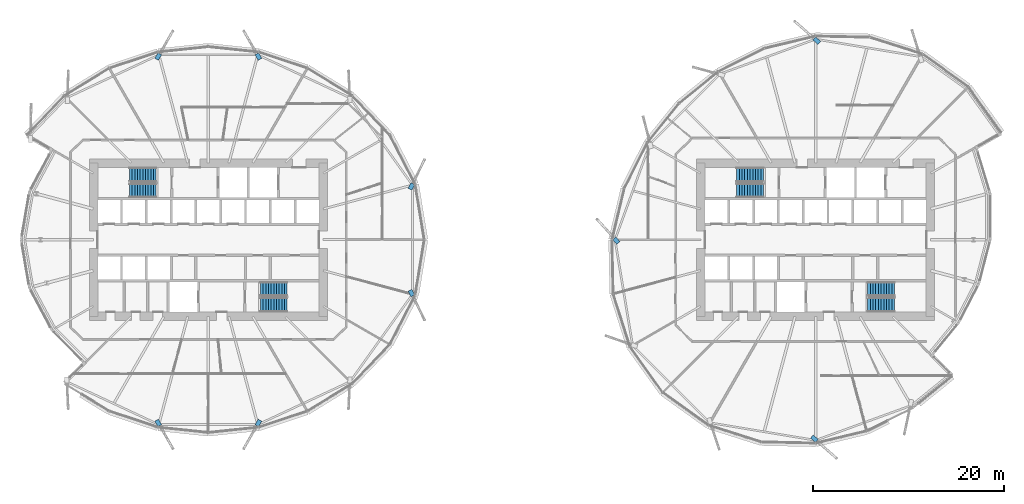
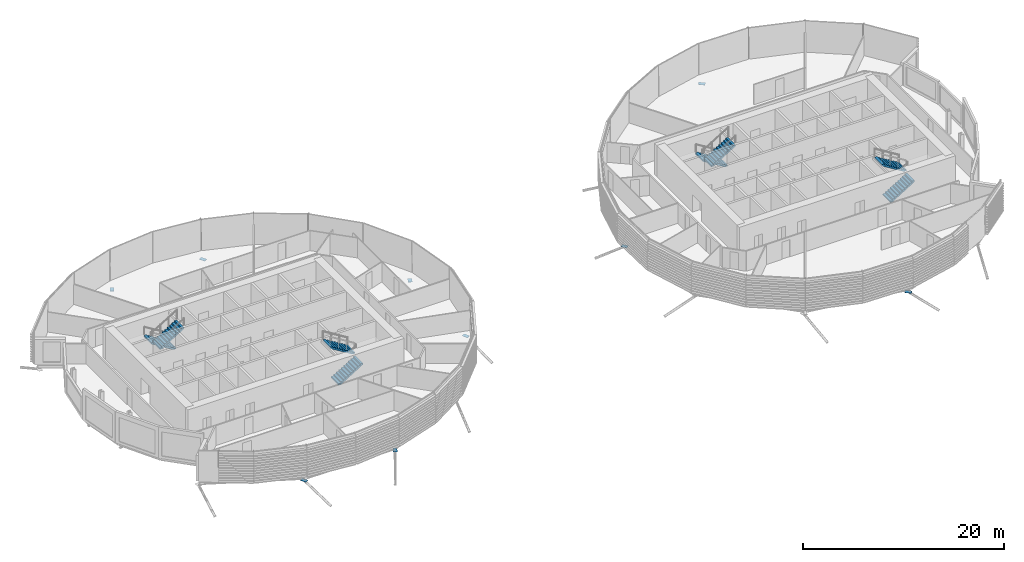
# One storey, part 26 of 38: 9 discrete accessories, 8 stair flights, 4 elements without a shape of their own.
"""IFC4 building model written with IfcOpenShell, lengths in metres."""

from ifc_helpers import new_model, si_unit, direction, frame, origin, origin_2d, place, context, subcontext, project, spatial, polyline, rectangle, outline, extrude, material, material_profile, profile_set, type_object, element, aggregate, save


model = new_model("IFC4")

# Units and contexts
model_context = context("Model", 3, precision=1e-05, world=origin(), true_north=direction((0.0, 1.0)))
body_context = subcontext(model_context, "Body", "Model", "MODEL_VIEW")
ifc_project = project(units=[si_unit("LENGTHUNIT", "METRE"), si_unit("AREAUNIT", "SQUARE_METRE"), si_unit("VOLUMEUNIT", "CUBIC_METRE"), si_unit("PLANEANGLEUNIT", "RADIAN"), si_unit("MASSUNIT", "GRAM", prefix="KILO")], contexts=[model_context])

# Site, building, storey
site_placement = place(None, origin())
site = spatial("IfcSite", under=ifc_project, at=site_placement, CompositionType="ELEMENT")
building_placement = place(site_placement, origin())
building = spatial("IfcBuilding", under=site, at=building_placement, Name="Rimbun Link Towers", CompositionType="ELEMENT")
storey_placement = place(building_placement, frame((0.0, 0.0, 49.0)))
storey = spatial("IfcBuildingStorey", under=building, at=storey_placement, Name="L11", CompositionType="ELEMENT", Elevation=49.0)

# Stair, stair flights
ifc_material_1 = material(Name="Concrete C40/50", Category="concrete")
stair_type = type_object("IfcStairType", Name="Exit stair 3800 rise", PredefinedType="HALF_TURN_STAIR", material=ifc_material_1)
stair_1_placement = place(storey_placement, origin())
stair_1 = element("IfcStair", 1, at=stair_1_placement, inside=storey, type_object=stair_type, Name="L11 EXIT STAIR A", PredefinedType="HALF_TURN_STAIR")
ifc_material_2 = material(Name="Concrete C40/50", Category="concrete")
stair_flight_type = type_object("IfcStairFlightType", Name="Exit stair flight 3800 rise", PredefinedType="STRAIGHT", material=ifc_material_2)
stair_flight_1_placement = place(storey_placement, frame((-37.199951171875, 6.800048828125, 0.0), z_axis=(0.0, 0.0, 1.0), x_axis=(-1.0, 0.0, 0.0)))
stair_flight_1 = element("IfcStairFlight", 2, at=stair_flight_1_placement, type_object=stair_flight_type, Name="ST1 flight 1", NumberOfRisers=11, NumberOfTreads=10, PredefinedType="STRAIGHT", RiserHeight=0.172727273, TreadLength=0.28, context=body_context, shape_type="SweptSolid", body=[
    extrude(outline(polyline([(0.0, 0.0), (0.0, 0.172607421875), (0.280029296875, 0.172607421875), (0.280029296875, 0.345458984375), (0.56005859375, 0.345458984375), (0.56005859375, 0.51806640625), (0.840087890625, 0.51806640625), (0.840087890625, 0.69091796875), (1.1201171875, 0.69091796875), (1.1201171875, 0.863525390625), (1.39990234375, 0.863525390625), (1.39990234375, 1.036376953125), (1.679931640625, 1.036376953125), (1.679931640625, 1.208984375), (1.9599609375, 1.208984375), (1.9599609375, 1.3818359375), (2.239990234375, 1.3818359375), (2.239990234375, 1.554443359375), (2.52001953125, 1.554443359375), (2.52001953125, 1.727294921875), (2.800048828125, 1.727294921875), (2.800048828125, 1.89990234375), (2.800048828125, 1.551025390625), (0.280029296875, 0.0), (0.0, 0.0)])), frame((0.0, 0.75, 0.0), z_axis=(0.0, -1.0, 0.0), x_axis=(1.0, 0.0, 0.0)), (0.0, 0.0, 1.0), 1.5),
])
stair_flight_2_placement = place(storey_placement, frame((-40.0, 5.14990234375, 1.89990234375), z_axis=(0.0, 0.0, 1.0), x_axis=(1.0, 0.0, 0.0)))
stair_flight_2 = element("IfcStairFlight", 3, at=stair_flight_2_placement, type_object=stair_flight_type, Name="ST1 flight 2", NumberOfRisers=11, NumberOfTreads=10, PredefinedType="STRAIGHT", RiserHeight=0.172727273, TreadLength=0.28, context=body_context, shape_type="SweptSolid", body=[
    extrude(outline(polyline([(0.0, 0.0), (0.0, 0.172607421875), (0.280029296875, 0.172607421875), (0.280029296875, 0.345458984375), (0.56005859375, 0.345458984375), (0.56005859375, 0.51806640625), (0.840087890625, 0.51806640625), (0.840087890625, 0.69091796875), (1.1201171875, 0.69091796875), (1.1201171875, 0.863525390625), (1.39990234375, 0.863525390625), (1.39990234375, 1.036376953125), (1.679931640625, 1.036376953125), (1.679931640625, 1.208984375), (1.9599609375, 1.208984375), (1.9599609375, 1.3818359375), (2.239990234375, 1.3818359375), (2.239990234375, 1.554443359375), (2.52001953125, 1.554443359375), (2.52001953125, 1.727294921875), (2.800048828125, 1.727294921875), (2.800048828125, 1.89990234375), (2.800048828125, 1.551025390625), (0.280029296875, 0.0), (0.0, 0.0)])), frame((0.0, 0.75, 0.0), z_axis=(0.0, -1.0, 0.0), x_axis=(1.0, 0.0, 0.0)), (0.0, 0.0, 1.0), 1.5),
])
aggregate(stair_1, [stair_flight_1, stair_flight_2])

stair_2_placement = place(storey_placement, origin())
stair_2 = element("IfcStair", 4, at=stair_2_placement, inside=storey, type_object=stair_type, Name="L11 EXIT STAIR B", PredefinedType="HALF_TURN_STAIR")
stair_flight_3_placement = place(storey_placement, frame((-26.300048828125, -6.800048828125, 0.0), z_axis=(0.0, 0.0, 1.0), x_axis=(1.0, 0.0, 0.0)))
stair_flight_3 = element("IfcStairFlight", 5, at=stair_flight_3_placement, type_object=stair_flight_type, Name="ST2 flight 1", NumberOfRisers=11, NumberOfTreads=10, PredefinedType="STRAIGHT", RiserHeight=0.172727273, TreadLength=0.28, context=body_context, shape_type="SweptSolid", body=[
    extrude(outline(polyline([(0.0, 0.0), (0.0, 0.172607421875), (0.280029296875, 0.172607421875), (0.280029296875, 0.345458984375), (0.56005859375, 0.345458984375), (0.56005859375, 0.51806640625), (0.840087890625, 0.51806640625), (0.840087890625, 0.69091796875), (1.1201171875, 0.69091796875), (1.1201171875, 0.863525390625), (1.39990234375, 0.863525390625), (1.39990234375, 1.036376953125), (1.679931640625, 1.036376953125), (1.679931640625, 1.208984375), (1.9599609375, 1.208984375), (1.9599609375, 1.3818359375), (2.239990234375, 1.3818359375), (2.239990234375, 1.554443359375), (2.52001953125, 1.554443359375), (2.52001953125, 1.727294921875), (2.800048828125, 1.727294921875), (2.800048828125, 1.89990234375), (2.800048828125, 1.551025390625), (0.280029296875, 0.0), (0.0, 0.0)])), frame((0.0, 0.75, 0.0), z_axis=(0.0, -1.0, 0.0), x_axis=(1.0, 0.0, 0.0)), (0.0, 0.0, 1.0), 1.5),
])
stair_flight_4_placement = place(storey_placement, frame((-23.5, -5.14990234375, 1.89990234375), z_axis=(0.0, 0.0, 1.0), x_axis=(-1.0, 0.0, 0.0)))
stair_flight_4 = element("IfcStairFlight", 6, at=stair_flight_4_placement, type_object=stair_flight_type, Name="ST2 flight 2", NumberOfRisers=11, NumberOfTreads=10, PredefinedType="STRAIGHT", RiserHeight=0.172727273, TreadLength=0.28, context=body_context, shape_type="SweptSolid", body=[
    extrude(outline(polyline([(0.0, 0.0), (0.0, 0.172607421875), (0.280029296875, 0.172607421875), (0.280029296875, 0.345458984375), (0.56005859375, 0.345458984375), (0.56005859375, 0.51806640625), (0.840087890625, 0.51806640625), (0.840087890625, 0.69091796875), (1.1201171875, 0.69091796875), (1.1201171875, 0.863525390625), (1.39990234375, 0.863525390625), (1.39990234375, 1.036376953125), (1.679931640625, 1.036376953125), (1.679931640625, 1.208984375), (1.9599609375, 1.208984375), (1.9599609375, 1.3818359375), (2.239990234375, 1.3818359375), (2.239990234375, 1.554443359375), (2.52001953125, 1.554443359375), (2.52001953125, 1.727294921875), (2.800048828125, 1.727294921875), (2.800048828125, 1.89990234375), (2.800048828125, 1.551025390625), (0.280029296875, 0.0), (0.0, 0.0)])), frame((0.0, 0.75, 0.0), z_axis=(0.0, -1.0, 0.0), x_axis=(1.0, 0.0, 0.0)), (0.0, 0.0, 1.0), 1.5),
])
aggregate(stair_2, [stair_flight_3, stair_flight_4])

stair_3_placement = place(storey_placement, origin())
stair_3 = element("IfcStair", 7, at=stair_3_placement, inside=storey, type_object=stair_type, Name="L11 EXIT STAIR A", PredefinedType="HALF_TURN_STAIR")
stair_flight_5_placement = place(storey_placement, frame((26.300048828125, 6.800048828125, 0.0), z_axis=(0.0, 0.0, 1.0), x_axis=(-1.0, 0.0, 0.0)))
stair_flight_5 = element("IfcStairFlight", 8, at=stair_flight_5_placement, type_object=stair_flight_type, Name="ST3 flight 1", NumberOfRisers=11, NumberOfTreads=10, PredefinedType="STRAIGHT", RiserHeight=0.172727273, TreadLength=0.28, context=body_context, shape_type="SweptSolid", body=[
    extrude(outline(polyline([(0.0, 0.0), (0.0, 0.172607421875), (0.280029296875, 0.172607421875), (0.280029296875, 0.345458984375), (0.56005859375, 0.345458984375), (0.56005859375, 0.51806640625), (0.840087890625, 0.51806640625), (0.840087890625, 0.69091796875), (1.1201171875, 0.69091796875), (1.1201171875, 0.863525390625), (1.39990234375, 0.863525390625), (1.39990234375, 1.036376953125), (1.679931640625, 1.036376953125), (1.679931640625, 1.208984375), (1.9599609375, 1.208984375), (1.9599609375, 1.3818359375), (2.239990234375, 1.3818359375), (2.239990234375, 1.554443359375), (2.52001953125, 1.554443359375), (2.52001953125, 1.727294921875), (2.800048828125, 1.727294921875), (2.800048828125, 1.89990234375), (2.800048828125, 1.551025390625), (0.280029296875, 0.0), (0.0, 0.0)])), frame((0.0, 0.75, 0.0), z_axis=(0.0, -1.0, 0.0), x_axis=(1.0, 0.0, 0.0)), (0.0, 0.0, 1.0), 1.5),
])
stair_flight_6_placement = place(storey_placement, frame((23.5, 5.14990234375, 1.89990234375), z_axis=(0.0, 0.0, 1.0), x_axis=(1.0, 0.0, 0.0)))
stair_flight_6 = element("IfcStairFlight", 9, at=stair_flight_6_placement, type_object=stair_flight_type, Name="ST3 flight 2", NumberOfRisers=11, NumberOfTreads=10, PredefinedType="STRAIGHT", RiserHeight=0.172727273, TreadLength=0.28, context=body_context, shape_type="SweptSolid", body=[
    extrude(outline(polyline([(0.0, 0.0), (0.0, 0.172607421875), (0.280029296875, 0.172607421875), (0.280029296875, 0.345458984375), (0.56005859375, 0.345458984375), (0.56005859375, 0.51806640625), (0.840087890625, 0.51806640625), (0.840087890625, 0.69091796875), (1.1201171875, 0.69091796875), (1.1201171875, 0.863525390625), (1.39990234375, 0.863525390625), (1.39990234375, 1.036376953125), (1.679931640625, 1.036376953125), (1.679931640625, 1.208984375), (1.9599609375, 1.208984375), (1.9599609375, 1.3818359375), (2.239990234375, 1.3818359375), (2.239990234375, 1.554443359375), (2.52001953125, 1.554443359375), (2.52001953125, 1.727294921875), (2.800048828125, 1.727294921875), (2.800048828125, 1.89990234375), (2.800048828125, 1.551025390625), (0.280029296875, 0.0), (0.0, 0.0)])), frame((0.0, 0.75, 0.0), z_axis=(0.0, -1.0, 0.0), x_axis=(1.0, 0.0, 0.0)), (0.0, 0.0, 1.0), 1.5),
])
aggregate(stair_3, [stair_flight_5, stair_flight_6])

stair_4_placement = place(storey_placement, origin())
stair_4 = element("IfcStair", 10, at=stair_4_placement, inside=storey, type_object=stair_type, Name="L11 EXIT STAIR B", PredefinedType="HALF_TURN_STAIR")
stair_flight_7_placement = place(storey_placement, frame((37.199951171875, -6.800048828125, 0.0), z_axis=(0.0, 0.0, 1.0), x_axis=(1.0, 0.0, 0.0)))
stair_flight_7 = element("IfcStairFlight", 11, at=stair_flight_7_placement, type_object=stair_flight_type, Name="ST4 flight 1", NumberOfRisers=11, NumberOfTreads=10, PredefinedType="STRAIGHT", RiserHeight=0.172727273, TreadLength=0.28, context=body_context, shape_type="SweptSolid", body=[
    extrude(outline(polyline([(0.0, 0.0), (0.0, 0.172607421875), (0.280029296875, 0.172607421875), (0.280029296875, 0.345458984375), (0.56005859375, 0.345458984375), (0.56005859375, 0.51806640625), (0.840087890625, 0.51806640625), (0.840087890625, 0.69091796875), (1.1201171875, 0.69091796875), (1.1201171875, 0.863525390625), (1.39990234375, 0.863525390625), (1.39990234375, 1.036376953125), (1.679931640625, 1.036376953125), (1.679931640625, 1.208984375), (1.9599609375, 1.208984375), (1.9599609375, 1.3818359375), (2.239990234375, 1.3818359375), (2.239990234375, 1.554443359375), (2.52001953125, 1.554443359375), (2.52001953125, 1.727294921875), (2.800048828125, 1.727294921875), (2.800048828125, 1.89990234375), (2.800048828125, 1.551025390625), (0.280029296875, 0.0), (0.0, 0.0)])), frame((0.0, 0.75, 0.0), z_axis=(0.0, -1.0, 0.0), x_axis=(1.0, 0.0, 0.0)), (0.0, 0.0, 1.0), 1.5),
])
stair_flight_8_placement = place(storey_placement, frame((40.0, -5.14990234375, 1.89990234375), z_axis=(0.0, 0.0, 1.0), x_axis=(-1.0, 0.0, 0.0)))
stair_flight_8 = element("IfcStairFlight", 12, at=stair_flight_8_placement, type_object=stair_flight_type, Name="ST4 flight 2", NumberOfRisers=11, NumberOfTreads=10, PredefinedType="STRAIGHT", RiserHeight=0.172727273, TreadLength=0.28, context=body_context, shape_type="SweptSolid", body=[
    extrude(outline(polyline([(0.0, 0.0), (0.0, 0.172607421875), (0.280029296875, 0.172607421875), (0.280029296875, 0.345458984375), (0.56005859375, 0.345458984375), (0.56005859375, 0.51806640625), (0.840087890625, 0.51806640625), (0.840087890625, 0.69091796875), (1.1201171875, 0.69091796875), (1.1201171875, 0.863525390625), (1.39990234375, 0.863525390625), (1.39990234375, 1.036376953125), (1.679931640625, 1.036376953125), (1.679931640625, 1.208984375), (1.9599609375, 1.208984375), (1.9599609375, 1.3818359375), (2.239990234375, 1.3818359375), (2.239990234375, 1.554443359375), (2.52001953125, 1.554443359375), (2.52001953125, 1.727294921875), (2.800048828125, 1.727294921875), (2.800048828125, 1.89990234375), (2.800048828125, 1.551025390625), (0.280029296875, 0.0), (0.0, 0.0)])), frame((0.0, 0.75, 0.0), z_axis=(0.0, -1.0, 0.0), x_axis=(1.0, 0.0, 0.0)), (0.0, 0.0, 1.0), 1.5),
])
aggregate(stair_4, [stair_flight_7, stair_flight_8])

# Discrete accessories
ifc_material_3 = material(Name="Steel S355J2H", Category="steel")
ifc_material_profile = material_profile(ifc_material_3, rectangle(XDim=0.43310546875, YDim=0.43310546875, at=origin_2d()), Name="PL 433x433")
ifc_profile_set = profile_set([ifc_material_profile], Name="Steel S355J2H")
discrete_accessory_type = type_object("IfcDiscreteAccessoryType", Name="Link head end plate 433X20", PredefinedType="BRACKET", material=ifc_profile_set)
discrete_accessory_1_placement = place(storey_placement, frame((0.0, 0.0, -0.713134765625)))
element("IfcDiscreteAccessory", 13, at=discrete_accessory_1_placement, inside=storey, type_object=discrete_accessory_type, Name="Link head end plate T1 L11 01", PredefinedType="BRACKET", context=body_context, shape_type="SweptSolid", body=[
    extrude(outline(polyline([(-10.468505859375, 5.185546875), (-10.17919921875, 5.777099609375), (-10.568115234375, 5.96728515625), (-10.857421875, 5.375732421875), (-10.468505859375, 5.185546875)])), origin(), (0.0, 0.0, 1.0), 0.02001953125),
])
discrete_accessory_2_placement = place(storey_placement, frame((0.0, 0.0, -0.78271484375)))
element("IfcDiscreteAccessory", 14, at=discrete_accessory_2_placement, inside=storey, type_object=discrete_accessory_type, Name="Link head end plate T1 L11 05", PredefinedType="BRACKET", context=body_context, shape_type="SweptSolid", body=[
    extrude(outline(polyline([(-26.160400390625, 18.976806640625), (-26.4873046875, 19.54931640625), (-26.86328125, 19.334716796875), (-26.5361328125, 18.76220703125), (-26.160400390625, 18.976806640625)])), origin(), (0.0, 0.0, 1.0), 0.02001953125),
])
discrete_accessory_3_placement = place(storey_placement, frame((0.0, 0.0, -0.78271484375)))
element("IfcDiscreteAccessory", 15, at=discrete_accessory_3_placement, inside=storey, type_object=discrete_accessory_type, Name="Link head end plate T1 L11 07", PredefinedType="BRACKET", context=body_context, shape_type="SweptSolid", body=[
    extrude(outline(polyline([(-36.9638671875, 18.76220703125), (-36.63671875, 19.334716796875), (-37.0126953125, 19.54931640625), (-37.339599609375, 18.976806640625), (-36.9638671875, 18.76220703125)])), origin(), (0.0, 0.0, 1.0), 0.02001953125),
])
discrete_accessory_4_placement = place(storey_placement, frame((0.0, 0.0, -0.78271484375)))
element("IfcDiscreteAccessory", 16, at=discrete_accessory_4_placement, inside=storey, type_object=discrete_accessory_type, Name="Link head end plate T1 L11 17", PredefinedType="BRACKET", context=body_context, shape_type="SweptSolid", body=[
    extrude(outline(polyline([(-37.339599609375, -18.976806640625), (-37.0126953125, -19.54931640625), (-36.63671875, -19.334716796875), (-36.9638671875, -18.76220703125), (-37.339599609375, -18.976806640625)])), origin(), (0.0, 0.0, 1.0), 0.02001953125),
])
discrete_accessory_5_placement = place(storey_placement, frame((0.0, 0.0, -0.78271484375)))
element("IfcDiscreteAccessory", 17, at=discrete_accessory_5_placement, inside=storey, type_object=discrete_accessory_type, Name="Link head end plate T1 L11 19", PredefinedType="BRACKET", context=body_context, shape_type="SweptSolid", body=[
    extrude(outline(polyline([(-26.5361328125, -18.76220703125), (-26.86328125, -19.334716796875), (-26.4873046875, -19.54931640625), (-26.160400390625, -18.976806640625), (-26.5361328125, -18.76220703125)])), origin(), (0.0, 0.0, 1.0), 0.02001953125),
])
discrete_accessory_6_placement = place(storey_placement, frame((0.0, 0.0, -0.713134765625)))
element("IfcDiscreteAccessory", 18, at=discrete_accessory_6_placement, inside=storey, type_object=discrete_accessory_type, Name="Link head end plate T1 L11 23", PredefinedType="BRACKET", context=body_context, shape_type="SweptSolid", body=[
    extrude(outline(polyline([(-10.857421875, -5.375732421875), (-10.568115234375, -5.96728515625), (-10.17919921875, -5.777099609375), (-10.468505859375, -5.185546875), (-10.857421875, -5.375732421875)])), origin(), (0.0, 0.0, 1.0), 0.02001953125),
])
discrete_accessory_7_placement = place(storey_placement, frame((0.0, 0.0, -0.863525390625)))
element("IfcDiscreteAccessory", 19, at=discrete_accessory_7_placement, inside=storey, type_object=discrete_accessory_type, Name="Link head end plate T2 L11 03", PredefinedType="BRACKET", context=body_context, shape_type="SweptSolid", body=[
    extrude(outline(polyline([(32.2822265625, 20.745361328125), (31.755615234375, 21.208251953125), (31.4697265625, 20.8828125), (31.99658203125, 20.420166015625), (32.2822265625, 20.745361328125)])), origin(), (0.0, 0.0, 1.0), 0.02001953125),
])
discrete_accessory_8_placement = place(storey_placement, frame((0.0, 0.0, -0.63330078125)))
element("IfcDiscreteAccessory", 20, at=discrete_accessory_8_placement, inside=storey, type_object=discrete_accessory_type, Name="Link head end plate T2 L11 09", PredefinedType="BRACKET", context=body_context, shape_type="SweptSolid", body=[
    extrude(outline(polyline([(11.291015625, -0.19482421875), (10.862060546875, 0.283203125), (10.539794921875, -0.006103515625), (10.968505859375, -0.484130859375), (11.291015625, -0.19482421875)])), origin(), (0.0, 0.0, 1.0), 0.02001953125),
])
discrete_accessory_9_placement = place(storey_placement, frame((0.0, 0.0, -0.863525390625)))
element("IfcDiscreteAccessory", 21, at=discrete_accessory_9_placement, inside=storey, type_object=discrete_accessory_type, Name="Link head end plate T2 L11 15", PredefinedType="BRACKET", context=body_context, shape_type="SweptSolid", body=[
    extrude(outline(polyline([(31.2177734375, -20.745361328125), (31.744384765625, -21.208251953125), (32.0302734375, -20.8828125), (31.50341796875, -20.420166015625), (31.2177734375, -20.745361328125)])), origin(), (0.0, 0.0, 1.0), 0.02001953125),
])

save(model, "model.ifc")
